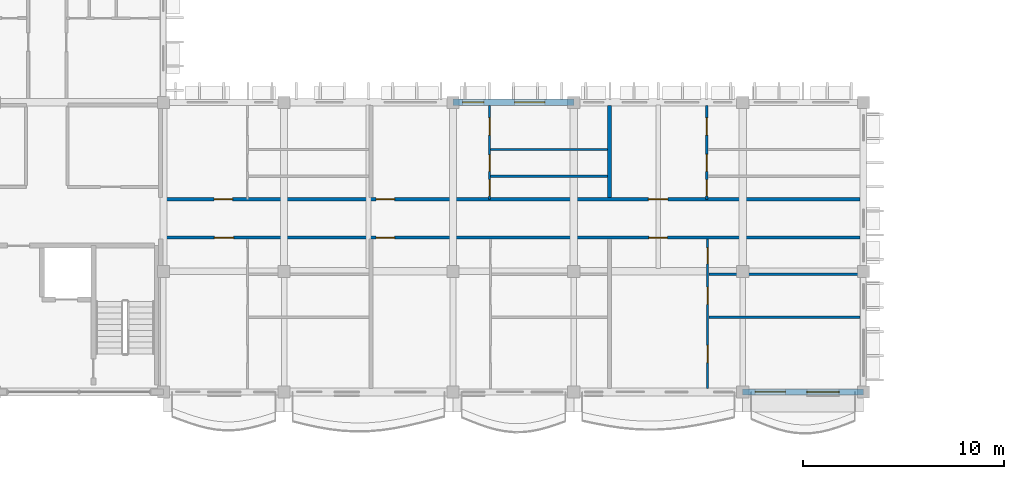
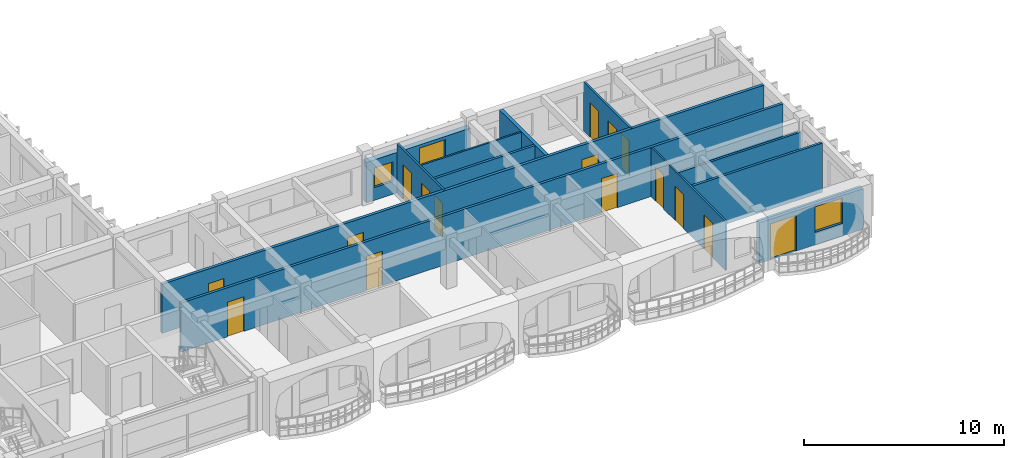
# One storey, part 17 of 70: 16 doors, 12 walls, 3 windows, 19 openings.
"""IFC4 building model written with IfcOpenShell, lengths in metres."""

from ifc_helpers import new_model, si_unit, direction, frame, frame_2d, origin, place, context, subcontext, project, spatial, rectangle, extrude, material, layer, layer_set, type_object, element, fill, save


model = new_model("IFC4")

# Units and contexts
model_context = context("Model", 3, precision=1e-05, world=origin(), true_north=direction((0.0, 1.0)))
body_context = subcontext(model_context, "Body", "Model", "MODEL_VIEW")
ifc_project = project(units=[si_unit("LENGTHUNIT", "METRE"), si_unit("AREAUNIT", "SQUARE_METRE"), si_unit("VOLUMEUNIT", "CUBIC_METRE"), si_unit("PLANEANGLEUNIT", "RADIAN"), si_unit("MASSUNIT", "GRAM", prefix="KILO"), si_unit("THERMODYNAMICTEMPERATUREUNIT", "KELVIN")], contexts=[model_context])

# Site, building, storey
site_placement = place(None, origin())
site = spatial("IfcSite", under=ifc_project, at=site_placement, CompositionType="ELEMENT")
building_placement = place(site_placement, origin())
building = spatial("IfcBuilding", under=site, at=building_placement, Name="Thalorik Housing Commons", CompositionType="ELEMENT")
storey_placement = place(building_placement, frame((0.0, 0.0, 14.699951171875)))
storey = spatial("IfcBuildingStorey", under=building, at=storey_placement, Name="L04", CompositionType="ELEMENT", Elevation=14.699951171875)

# Wall, openings, doors
ifc_material_1 = material(Name="Masonry fire-rated corridor wall", Category="masonry")
ifc_layer_1 = layer(ifc_material_1, 0.14990234375, Name="Masonry fire-rated corridor wall", Category="masonry")
ifc_layer_set_1 = layer_set([ifc_layer_1], Name="Masonry fire-rated corridor wall")
wall_type_1 = type_object("IfcWallType", Name="ARC-WAL-CORR-150", PredefinedType="PARTITIONING", material=ifc_layer_set_1)
wall_1_placement = place(storey_placement, frame((22.659912109375, 16.080078125, 0.0), z_axis=(0.0, 0.0, 1.0), x_axis=(1.0, 0.0, 0.0)))
wall_1 = element("IfcWall", 1, at=wall_1_placement, inside=storey, type_object=wall_type_1, Name="L04 Block C S Corridor Wall 1", PredefinedType="PARTITIONING", context=body_context, shape_type="SweptSolid", body=[
    extrude(rectangle(XDim=34.778076171875, YDim=0.14990234375, at=frame_2d((17.38916015625, 0.0))), origin(), (0.0, 0.0, 1.0), 3.0),
])
opening_1_placement = place(wall_1_placement, frame((2.671630859375, 0.0, 0.0)))
opening_1 = element("IfcOpeningElement", 2, at=opening_1_placement, cuts=wall_1, Name="Opening ID-1740", PredefinedType="OPENING", context=body_context, shape_type="SweptSolid", body=[
    extrude(rectangle(XDim=0.9599609375, YDim=2.1201171875, at=frame_2d((0.47998046875, 1.06005859375))), frame((0.0, 0.0849609375, 0.0), z_axis=(0.0, -1.0, 0.0), x_axis=(1.0, 0.0, 0.0)), (0.0, 0.0, 1.0), 0.169921875),
])
opening_2_placement = place(wall_1_placement, frame((10.7099609375, 0.0, 0.0)))
opening_2 = element("IfcOpeningElement", 3, at=opening_2_placement, cuts=wall_1, Name="Opening ID-1741", PredefinedType="OPENING", context=body_context, shape_type="SweptSolid", body=[
    extrude(rectangle(XDim=0.919921875, YDim=2.10009765625, at=frame_2d((0.4599609375, 1.050048828125))), frame((0.0, 0.0849609375, 0.0), z_axis=(0.0, -1.0, 0.0), x_axis=(1.0, 0.0, 0.0)), (0.0, 0.0, 1.0), 0.169921875),
])
opening_3_placement = place(wall_1_placement, frame((24.280029296875, 0.0, 0.0)))
opening_3 = element("IfcOpeningElement", 4, at=opening_3_placement, cuts=wall_1, Name="Opening ID-1742", PredefinedType="OPENING", context=body_context, shape_type="SweptSolid", body=[
    extrude(rectangle(XDim=0.919921875, YDim=2.10009765625, at=frame_2d((0.4599609375, 1.050048828125))), frame((0.0, 0.0849609375, 0.0), z_axis=(0.0, -1.0, 0.0), x_axis=(1.0, 0.0, 0.0)), (0.0, 0.0, 1.0), 0.169921875),
])
ifc_material_2 = material(Name="Solid core hardwood timber", Category="wood")
door_type_1 = type_object("IfcDoorType", Name="ARC-DR-FD30-920", OperationType="NOTDEFINED", PredefinedType="DOOR", material=ifc_material_2)
door_1_placement = place(opening_2_placement, origin())
door_1 = element("IfcDoor", 5, at=door_1_placement, inside=storey, type_object=door_type_1, Name="L04 Flat CS-2A Entrance Door", OperationType="SINGLE_SWING_RIGHT", OverallHeight=2.10009765625, OverallWidth=0.919921875, PredefinedType="DOOR", context=body_context, shape_type="SweptSolid", body=[
    extrude(rectangle(XDim=0.919921875, YDim=2.10009765625, at=frame_2d((0.4599609375, 1.050048828125))), frame((0.0, 0.02490234375, 0.0), z_axis=(0.0, -1.0, 0.0), x_axis=(1.0, 0.0, 0.0)), (0.0, 0.0, 1.0), 0.050048828125),
])
fill(opening_2, door_1)
door_2_placement = place(opening_3_placement, origin())
door_2 = element("IfcDoor", 6, at=door_2_placement, inside=storey, type_object=door_type_1, Name="L04 Flat CS-3A Entrance Door", OperationType="SINGLE_SWING_LEFT", OverallHeight=2.10009765625, OverallWidth=0.919921875, PredefinedType="DOOR", context=body_context, shape_type="SweptSolid", body=[
    extrude(rectangle(XDim=0.919921875, YDim=2.10009765625, at=frame_2d((0.4599609375, 1.050048828125))), frame((0.0, 0.02490234375, 0.0), z_axis=(0.0, -1.0, 0.0), x_axis=(1.0, 0.0, 0.0)), (0.0, 0.0, 1.0), 0.050048828125),
])
fill(opening_3, door_2)
door_type_2 = type_object("IfcDoorType", Name="ARC-DR-FD30-960", OperationType="NOTDEFINED", PredefinedType="DOOR", material=ifc_material_2)
door_3_placement = place(opening_1_placement, origin())
door_3 = element("IfcDoor", 7, at=door_3_placement, inside=storey, type_object=door_type_2, Name="L04 Flat CS-1A Entrance Door", OperationType="SINGLE_SWING_LEFT", OverallHeight=2.1201171875, OverallWidth=0.9599609375, PredefinedType="DOOR", context=body_context, shape_type="SweptSolid", body=[
    extrude(rectangle(XDim=0.9599609375, YDim=2.1201171875, at=frame_2d((0.47998046875, 1.06005859375))), frame((0.0, 0.02490234375, 0.0), z_axis=(0.0, -1.0, 0.0), x_axis=(1.0, 0.0, 0.0)), (0.0, 0.0, 1.0), 0.050048828125),
])
fill(opening_1, door_3)

ifc_layer_2 = layer(ifc_material_1, 0.1650390625, Name="Masonry fire-rated corridor wall", Category="masonry")
ifc_layer_set_2 = layer_set([ifc_layer_2], Name="Masonry fire-rated corridor wall")
wall_type_2 = type_object("IfcWallType", Name="ARC-WAL-CORR-165", PredefinedType="PARTITIONING", material=ifc_layer_set_2)
wall_2_placement = place(storey_placement, frame((22.659912109375, 17.97998046875, 0.0), z_axis=(0.0, 0.0, 1.0), x_axis=(1.0, 0.0, 0.0)))
wall_2 = element("IfcWall", 8, at=wall_2_placement, inside=storey, type_object=wall_type_2, Name="L04 Block C S Corridor Wall 2", PredefinedType="PARTITIONING", context=body_context, shape_type="SweptSolid", body=[
    extrude(rectangle(XDim=34.778076171875, YDim=0.1650390625, at=frame_2d((17.38916015625, 0.0))), origin(), (0.0, 0.0, 1.0), 3.0),
])
opening_4_placement = place(wall_2_placement, frame((2.663818359375, 0.0, 0.0)))
opening_4 = element("IfcOpeningElement", 9, at=opening_4_placement, cuts=wall_2, Name="Opening ID-1743", PredefinedType="OPENING", context=body_context, shape_type="SweptSolid", body=[
    extrude(rectangle(XDim=0.919921875, YDim=2.10009765625, at=frame_2d((0.4599609375, 1.050048828125))), frame((0.0, 0.092529296875, 0.0), z_axis=(0.0, -1.0, 0.0), x_axis=(1.0, 0.0, 0.0)), (0.0, 0.0, 1.0), 0.18505859375),
])
opening_5_placement = place(wall_2_placement, frame((10.7099609375, 0.0, 0.0)))
opening_5 = element("IfcOpeningElement", 10, at=opening_5_placement, cuts=wall_2, Name="Opening ID-1744", PredefinedType="OPENING", context=body_context, shape_type="SweptSolid", body=[
    extrude(rectangle(XDim=0.919921875, YDim=2.10009765625, at=frame_2d((0.4599609375, 1.050048828125))), frame((0.0, 0.092529296875, 0.0), z_axis=(0.0, -1.0, 0.0), x_axis=(1.0, 0.0, 0.0)), (0.0, 0.0, 1.0), 0.18505859375),
])
opening_6_placement = place(wall_2_placement, frame((24.25439453125, 0.0, 0.0)))
opening_6 = element("IfcOpeningElement", 11, at=opening_6_placement, cuts=wall_2, Name="Opening ID-1745", PredefinedType="OPENING", context=body_context, shape_type="SweptSolid", body=[
    extrude(rectangle(XDim=0.9599609375, YDim=2.1201171875, at=frame_2d((0.47998046875, 1.06005859375))), frame((0.0, 0.092529296875, 0.0), z_axis=(0.0, -1.0, 0.0), x_axis=(1.0, 0.0, 0.0)), (0.0, 0.0, 1.0), 0.18505859375),
])
door_4_placement = place(opening_4_placement, origin())
door_4 = element("IfcDoor", 12, at=door_4_placement, inside=storey, type_object=door_type_1, Name="L04 Flat CS-1B Entrance Door", OperationType="SINGLE_SWING_RIGHT", OverallHeight=2.10009765625, OverallWidth=0.919921875, PredefinedType="DOOR", context=body_context, shape_type="SweptSolid", body=[
    extrude(rectangle(XDim=0.919921875, YDim=2.10009765625, at=frame_2d((0.4599609375, 1.050048828125))), frame((0.0, 0.02490234375, 0.0), z_axis=(0.0, -1.0, 0.0), x_axis=(1.0, 0.0, 0.0)), (0.0, 0.0, 1.0), 0.050048828125),
])
fill(opening_4, door_4)
door_5_placement = place(opening_5_placement, origin())
door_5 = element("IfcDoor", 13, at=door_5_placement, inside=storey, type_object=door_type_1, Name="L04 Flat CS-2B Entrance Door", OperationType="SINGLE_SWING_LEFT", OverallHeight=2.10009765625, OverallWidth=0.919921875, PredefinedType="DOOR", context=body_context, shape_type="SweptSolid", body=[
    extrude(rectangle(XDim=0.919921875, YDim=2.10009765625, at=frame_2d((0.4599609375, 1.050048828125))), frame((0.0, 0.02490234375, 0.0), z_axis=(0.0, -1.0, 0.0), x_axis=(1.0, 0.0, 0.0)), (0.0, 0.0, 1.0), 0.050048828125),
])
fill(opening_5, door_5)
door_6_placement = place(opening_6_placement, origin())
door_6 = element("IfcDoor", 14, at=door_6_placement, inside=storey, type_object=door_type_2, Name="L04 Flat CS-3B Entrance Door", OperationType="SINGLE_SWING_RIGHT", OverallHeight=2.1201171875, OverallWidth=0.9599609375, PredefinedType="DOOR", context=body_context, shape_type="SweptSolid", body=[
    extrude(rectangle(XDim=0.9599609375, YDim=2.1201171875, at=frame_2d((0.47998046875, 1.06005859375))), frame((0.0, 0.02490234375, 0.0), z_axis=(0.0, -1.0, 0.0), x_axis=(1.0, 0.0, 0.0)), (0.0, 0.0, 1.0), 0.050048828125),
])
fill(opening_6, door_6)

# Wall, openings, door, window
ifc_material_3 = material(Name="White precast concrete C40/50", Category="concrete")
ifc_layer_3 = layer(ifc_material_3, 0.320068359375, Name="White precast concrete C40/50", Category="concrete")
ifc_layer_set_3 = layer_set([ifc_layer_3], Name="White precast concrete C40/50")
wall_type_3 = type_object("IfcWallType", Name="ARC-WAL-EXT-320", PredefinedType="STANDARD", material=ifc_layer_set_3)
wall_3_placement = place(storey_placement, frame((51.60009765625, 8.39990234375, 0.0), z_axis=(0.0, 0.0, 1.0), x_axis=(1.0, 0.0, 0.0)))
wall_3 = element("IfcWall", 15, at=wall_3_placement, inside=storey, type_object=wall_type_3, Name="L04 Exterior Wall WAL-EXT-L04-C-0953", PredefinedType="STANDARD", context=body_context, shape_type="SweptSolid", body=[
    extrude(rectangle(XDim=6.0, YDim=0.320068359375, at=frame_2d((3.0, 0.0))), origin(), (0.0, 0.0, 1.0), 2.47509765625),
])
opening_7_placement = place(wall_3_placement, frame((0.6201171875, 0.0, 0.0)))
opening_7 = element("IfcOpeningElement", 16, at=opening_7_placement, cuts=wall_3, Name="Opening ED-0317", PredefinedType="OPENING", context=body_context, shape_type="SweptSolid", body=[
    extrude(rectangle(XDim=1.5, YDim=2.199951171875, at=frame_2d((0.75, 1.10009765625))), frame((0.0, 0.169921875, 0.0), z_axis=(0.0, -1.0, 0.0), x_axis=(1.0, 0.0, 0.0)), (0.0, 0.0, 1.0), 0.340087890625),
])
opening_8_placement = place(wall_3_placement, frame((3.18994140625, 0.0, 0.780029296875)))
opening_8 = element("IfcOpeningElement", 17, at=opening_8_placement, cuts=wall_3, Name="Opening W-13", PredefinedType="OPENING", context=body_context, shape_type="SweptSolid", body=[
    extrude(rectangle(XDim=1.60009765625, YDim=1.550048828125, at=frame_2d((0.800048828125, 0.77490234375))), frame((0.0, 0.169921875, 0.0), z_axis=(0.0, -1.0, 0.0), x_axis=(1.0, 0.0, 0.0)), (0.0, 0.0, 1.0), 0.340087890625),
])
ifc_material_4 = material(Name="Anodised aluminium and laminated safety glass", Category="aluminium")
door_type_3 = type_object("IfcDoorType", Name="ARC-DR-BAL-1500", OperationType="NOTDEFINED", PredefinedType="DOOR", material=ifc_material_4)
door_7_placement = place(opening_7_placement, frame((1.5, 0.0, 0.0), z_axis=(0.0, 0.0, 1.0), x_axis=(-1.0, 0.0, 0.0)))
door_7 = element("IfcDoor", 18, at=door_7_placement, inside=storey, type_object=door_type_3, Name="L04 Block C Balcony Glazed Door", OperationType="SLIDING_TO_RIGHT", OverallHeight=2.199951171875, OverallWidth=1.5, PredefinedType="DOOR", context=body_context, shape_type="SweptSolid", body=[
    extrude(rectangle(XDim=1.5, YDim=2.199951171875, at=frame_2d((0.75, 1.10009765625))), frame((0.0, 0.02490234375, 0.0), z_axis=(0.0, -1.0, 0.0), x_axis=(1.0, 0.0, 0.0)), (0.0, 0.0, 1.0), 0.050048828125),
])
fill(opening_7, door_7)
ifc_material_5 = material(Name="Anodised aluminium and solar-control low-E glass", Category="aluminium")
window_type_1 = type_object("IfcWindowType", Name="ARC-WIN-13", PartitioningType="DOUBLE_PANEL_VERTICAL", PredefinedType="WINDOW", material=ifc_material_5)
window_1_placement = place(opening_8_placement, origin())
window_1 = element("IfcWindow", 19, at=window_1_placement, inside=storey, type_object=window_type_1, Name="L04 Facade Window 1760", OverallHeight=1.550048828125, OverallWidth=1.60009765625, PartitioningType="DOUBLE_PANEL_VERTICAL", PredefinedType="WINDOW", context=body_context, shape_type="SweptSolid", body=[
    extrude(rectangle(XDim=1.60009765625, YDim=1.550048828125, at=frame_2d((0.800048828125, 0.77490234375))), frame((0.0, 0.030029296875, 0.0), z_axis=(0.0, -1.0, 0.0), x_axis=(1.0, 0.0, 0.0)), (0.0, 0.0, 1.0), 0.06005859375),
])
fill(opening_8, window_1)

# Wall, openings, windows
wall_4_placement = place(storey_placement, frame((43.199951171875, 22.800048828125, 0.0), z_axis=(0.0, 0.0, 1.0), x_axis=(-1.0, 0.0, 0.0)))
wall_4 = element("IfcWall", 20, at=wall_4_placement, inside=storey, type_object=wall_type_3, Name="L04 Exterior Wall WAL-EXT-L04-C-0958", PredefinedType="STANDARD", context=body_context, shape_type="SweptSolid", body=[
    extrude(rectangle(XDim=6.0, YDim=0.320068359375, at=frame_2d((3.0, 0.0))), origin(), (0.0, 0.0, 1.0), 2.47509765625),
])
opening_9_placement = place(wall_4_placement, frame((1.438720703125, 0.0, 0.780029296875)))
opening_9 = element("IfcOpeningElement", 21, at=opening_9_placement, cuts=wall_4, Name="Opening W-10", PredefinedType="OPENING", context=body_context, shape_type="SweptSolid", body=[
    extrude(rectangle(XDim=1.5, YDim=1.5, at=frame_2d((0.75, 0.75))), frame((0.0, 0.169921875, 0.0), z_axis=(0.0, -1.0, 0.0), x_axis=(1.0, 0.0, 0.0)), (0.0, 0.0, 1.0), 0.340087890625),
])
opening_10_placement = place(wall_4_placement, frame((4.4736328125, 0.0, 0.780029296875)))
opening_10 = element("IfcOpeningElement", 22, at=opening_10_placement, cuts=wall_4, Name="Opening W-44", PredefinedType="OPENING", context=body_context, shape_type="SweptSolid", body=[
    extrude(rectangle(XDim=1.050048828125, YDim=1.199951171875, at=frame_2d((0.52490234375, 0.60009765625))), frame((0.0, 0.169921875, 0.0), z_axis=(0.0, -1.0, 0.0), x_axis=(1.0, 0.0, 0.0)), (0.0, 0.0, 1.0), 0.340087890625),
])
window_type_2 = type_object("IfcWindowType", Name="ARC-WIN-10", PartitioningType="SINGLE_PANEL", PredefinedType="WINDOW", material=ifc_material_5)
window_2_placement = place(opening_9_placement, origin())
window_2 = element("IfcWindow", 23, at=window_2_placement, inside=storey, type_object=window_type_2, Name="L04 Facade Window 1772", OverallHeight=1.5, OverallWidth=1.5, PartitioningType="SINGLE_PANEL", PredefinedType="WINDOW", context=body_context, shape_type="SweptSolid", body=[
    extrude(rectangle(XDim=1.5, YDim=1.5, at=frame_2d((0.75, 0.75))), frame((0.0, 0.030029296875, 0.0), z_axis=(0.0, -1.0, 0.0), x_axis=(1.0, 0.0, 0.0)), (0.0, 0.0, 1.0), 0.06005859375),
])
fill(opening_9, window_2)
window_type_3 = type_object("IfcWindowType", Name="ARC-WIN-44", PartitioningType="SINGLE_PANEL", PredefinedType="WINDOW", material=ifc_material_5)
window_3_placement = place(opening_10_placement, origin())
window_3 = element("IfcWindow", 24, at=window_3_placement, inside=storey, type_object=window_type_3, Name="L04 Facade Window 1773", OverallHeight=1.199951171875, OverallWidth=1.050048828125, PartitioningType="SINGLE_PANEL", PredefinedType="WINDOW", context=body_context, shape_type="SweptSolid", body=[
    extrude(rectangle(XDim=1.050048828125, YDim=1.199951171875, at=frame_2d((0.52490234375, 0.60009765625))), frame((0.0, 0.030029296875, 0.0), z_axis=(0.0, -1.0, 0.0), x_axis=(1.0, 0.0, 0.0)), (0.0, 0.0, 1.0), 0.06005859375),
])
fill(opening_10, window_3)

# Wall
ifc_material_6 = material(Name="Gypsum light stud partition", Category="masonry")
ifc_layer_4 = layer(ifc_material_6, 0.10009765625, Name="Gypsum light stud partition", Category="masonry")
ifc_layer_set_4 = layer_set([ifc_layer_4], Name="Gypsum light stud partition")
wall_type_4 = type_object("IfcWallType", Name="ARC-WAL-PART-100", PredefinedType="PARTITIONING", material=ifc_layer_set_4)
wall_5_placement = place(storey_placement, frame((39.072265625, 20.455078125, 0.0), z_axis=(0.0, 0.0, 1.0), x_axis=(1.0, 0.0, 0.0)))
element("IfcWall", 25, at=wall_5_placement, inside=storey, type_object=wall_type_4, Name="L04 Unit 2B Bedroom Partition", PredefinedType="PARTITIONING", context=body_context, shape_type="SweptSolid", body=[
    extrude(rectangle(XDim=5.8056640625, YDim=0.10009765625, at=frame_2d((2.90283203125, 0.0))), origin(), (0.0, 0.0, 1.0), 3.0),
])

# Wall, openings, doors
wall_6_placement = place(storey_placement, frame((49.860107421875, 8.56201171875, 0.0), z_axis=(0.0, 0.0, 1.0), x_axis=(0.0, 1.0, 0.0)))
wall_6 = element("IfcWall", 26, at=wall_6_placement, inside=storey, type_object=wall_type_4, Name="L04 Unit 3 Spine Partition", PredefinedType="PARTITIONING", context=body_context, shape_type="SweptSolid", body=[
    extrude(rectangle(XDim=7.44091796875, YDim=0.10009765625, at=frame_2d((3.720458984375, 0.0))), origin(), (0.0, 0.0, 1.0), 3.0),
])
opening_11_placement = place(wall_6_placement, frame((1.3017578125, 0.0, 0.0)))
opening_11 = element("IfcOpeningElement", 27, at=opening_11_placement, cuts=wall_6, Name="Opening ID-1734", PredefinedType="OPENING", context=body_context, shape_type="SweptSolid", body=[
    extrude(rectangle(XDim=0.85009765625, YDim=2.10009765625, at=frame_2d((0.425048828125, 1.050048828125))), frame((0.0, 0.06005859375, 0.0), z_axis=(0.0, -1.0, 0.0), x_axis=(1.0, 0.0, 0.0)), (0.0, 0.0, 1.0), 0.1201171875),
])
opening_12_placement = place(wall_6_placement, frame((4.197509765625, 0.0, 0.0)))
opening_12 = element("IfcOpeningElement", 28, at=opening_12_placement, cuts=wall_6, Name="Opening ID-1735", PredefinedType="OPENING", context=body_context, shape_type="SweptSolid", body=[
    extrude(rectangle(XDim=0.85009765625, YDim=2.10009765625, at=frame_2d((0.425048828125, 1.050048828125))), frame((0.0, 0.06005859375, 0.0), z_axis=(0.0, -1.0, 0.0), x_axis=(1.0, 0.0, 0.0)), (0.0, 0.0, 1.0), 0.1201171875),
])
opening_13_placement = place(wall_6_placement, frame((6.20361328125, 0.0, 0.0)))
opening_13 = element("IfcOpeningElement", 29, at=opening_13_placement, cuts=wall_6, Name="Opening ID-1736", PredefinedType="OPENING", context=body_context, shape_type="SweptSolid", body=[
    extrude(rectangle(XDim=0.800048828125, YDim=2.10009765625, at=frame_2d((0.39990234375, 1.050048828125))), frame((0.0, 0.06005859375, 0.0), z_axis=(0.0, -1.0, 0.0), x_axis=(1.0, 0.0, 0.0)), (0.0, 0.0, 1.0), 0.1201171875),
])
ifc_material_7 = material(Name="Moisture-resistant timber", Category="wood")
door_type_4 = type_object("IfcDoorType", Name="ARC-DR-INT-800", OperationType="NOTDEFINED", PredefinedType="DOOR", material=ifc_material_7)
door_8_placement = place(opening_13_placement, origin())
door_8 = element("IfcDoor", 30, at=door_8_placement, inside=storey, type_object=door_type_4, Name="L04 Flat Bathroom Door", OperationType="SINGLE_SWING_LEFT", OverallHeight=2.10009765625, OverallWidth=0.800048828125, PredefinedType="DOOR", context=body_context, shape_type="SweptSolid", body=[
    extrude(rectangle(XDim=0.800048828125, YDim=2.10009765625, at=frame_2d((0.39990234375, 1.050048828125))), frame((0.0, 0.02490234375, 0.0), z_axis=(0.0, -1.0, 0.0), x_axis=(1.0, 0.0, 0.0)), (0.0, 0.0, 1.0), 0.050048828125),
])
fill(opening_13, door_8)
ifc_material_8 = material(Name="Engineered oak timber", Category="wood")
door_type_5 = type_object("IfcDoorType", Name="ARC-DR-INT-850", OperationType="NOTDEFINED", PredefinedType="DOOR", material=ifc_material_8)
door_9_placement = place(opening_11_placement, origin())
door_9 = element("IfcDoor", 31, at=door_9_placement, inside=storey, type_object=door_type_5, Name="L04 Master Bedroom Door", OperationType="SINGLE_SWING_LEFT", OverallHeight=2.10009765625, OverallWidth=0.85009765625, PredefinedType="DOOR", context=body_context, shape_type="SweptSolid", body=[
    extrude(rectangle(XDim=0.85009765625, YDim=2.10009765625, at=frame_2d((0.425048828125, 1.050048828125))), frame((0.0, 0.02490234375, 0.0), z_axis=(0.0, -1.0, 0.0), x_axis=(1.0, 0.0, 0.0)), (0.0, 0.0, 1.0), 0.050048828125),
])
fill(opening_11, door_9)
door_10_placement = place(opening_12_placement, origin())
door_10 = element("IfcDoor", 32, at=door_10_placement, inside=storey, type_object=door_type_5, Name="L04 Eat-In Kitchen Door", OperationType="SINGLE_SWING_RIGHT", OverallHeight=2.10009765625, OverallWidth=0.85009765625, PredefinedType="DOOR", context=body_context, shape_type="SweptSolid", body=[
    extrude(rectangle(XDim=0.85009765625, YDim=2.10009765625, at=frame_2d((0.425048828125, 1.050048828125))), frame((0.0, 0.02490234375, 0.0), z_axis=(0.0, -1.0, 0.0), x_axis=(1.0, 0.0, 0.0)), (0.0, 0.0, 1.0), 0.050048828125),
])
fill(opening_12, door_10)

ifc_material_9 = material(Name="Gypsum moisture-resistant partition", Category="masonry")
ifc_layer_5 = layer(ifc_material_9, 0.114990234375, Name="Gypsum moisture-resistant partition", Category="masonry")
ifc_layer_set_5 = layer_set([ifc_layer_5], Name="Gypsum moisture-resistant partition")
wall_type_5 = type_object("IfcWallType", Name="ARC-WAL-PART-115", PredefinedType="PARTITIONING", material=ifc_layer_set_5)
wall_7_placement = place(storey_placement, frame((39.0126953125, 17.97998046875, 0.0), z_axis=(0.0, 0.0, 1.0), x_axis=(0.0, 1.0, 0.0)))
wall_7 = element("IfcWall", 33, at=wall_7_placement, inside=storey, type_object=wall_type_5, Name="L04 Unit 2B Spine Partition", PredefinedType="PARTITIONING", context=body_context, shape_type="SweptSolid", body=[
    extrude(rectangle(XDim=4.657958984375, YDim=0.114990234375, at=frame_2d((2.3291015625, 0.0))), origin(), (0.0, 0.0, 1.0), 3.0),
])
opening_14_placement = place(wall_7_placement, frame((0.171142578125, 0.0, 0.0)))
opening_14 = element("IfcOpeningElement", 34, at=opening_14_placement, cuts=wall_7, Name="Opening ID-1731", PredefinedType="OPENING", context=body_context, shape_type="SweptSolid", body=[
    extrude(rectangle(XDim=0.800048828125, YDim=2.10009765625, at=frame_2d((0.39990234375, 1.050048828125))), frame((0.0, 0.0673828125, 0.0), z_axis=(0.0, -1.0, 0.0), x_axis=(1.0, 0.0, 0.0)), (0.0, 0.0, 1.0), 0.135009765625),
])
opening_15_placement = place(wall_7_placement, frame((1.3837890625, 0.0, 0.0)))
opening_15 = element("IfcOpeningElement", 35, at=opening_15_placement, cuts=wall_7, Name="Opening ID-1732", PredefinedType="OPENING", context=body_context, shape_type="SweptSolid", body=[
    extrude(rectangle(XDim=0.820068359375, YDim=2.080078125, at=frame_2d((0.41015625, 1.0400390625))), frame((0.0, 0.0673828125, 0.0), z_axis=(0.0, -1.0, 0.0), x_axis=(1.0, 0.0, 0.0)), (0.0, 0.0, 1.0), 0.135009765625),
])
opening_16_placement = place(wall_7_placement, frame((3.192626953125, 0.0, 0.0)))
opening_16 = element("IfcOpeningElement", 36, at=opening_16_placement, cuts=wall_7, Name="Opening ID-1733", PredefinedType="OPENING", context=body_context, shape_type="SweptSolid", body=[
    extrude(rectangle(XDim=0.85009765625, YDim=2.10009765625, at=frame_2d((0.425048828125, 1.050048828125))), frame((0.0, 0.0673828125, 0.0), z_axis=(0.0, -1.0, 0.0), x_axis=(1.0, 0.0, 0.0)), (0.0, 0.0, 1.0), 0.135009765625),
])
door_11_placement = place(opening_14_placement, origin())
door_11 = element("IfcDoor", 37, at=door_11_placement, inside=storey, type_object=door_type_4, Name="L04 Accessible Bathroom Door", OperationType="SINGLE_SWING_RIGHT", OverallHeight=2.10009765625, OverallWidth=0.800048828125, PredefinedType="DOOR", context=body_context, shape_type="SweptSolid", body=[
    extrude(rectangle(XDim=0.800048828125, YDim=2.10009765625, at=frame_2d((0.39990234375, 1.050048828125))), frame((0.0, 0.02490234375, 0.0), z_axis=(0.0, -1.0, 0.0), x_axis=(1.0, 0.0, 0.0)), (0.0, 0.0, 1.0), 0.050048828125),
])
fill(opening_14, door_11)
door_type_6 = type_object("IfcDoorType", Name="ARC-DR-INT-820", OperationType="NOTDEFINED", PredefinedType="DOOR", material=ifc_material_8)
door_12_placement = place(opening_15_placement, origin())
door_12 = element("IfcDoor", 38, at=door_12_placement, inside=storey, type_object=door_type_6, Name="L04 Eat-In Kitchen Door", OperationType="SINGLE_SWING_LEFT", OverallHeight=2.080078125, OverallWidth=0.820068359375, PredefinedType="DOOR", context=body_context, shape_type="SweptSolid", body=[
    extrude(rectangle(XDim=0.820068359375, YDim=2.080078125, at=frame_2d((0.41015625, 1.0400390625))), frame((0.0, 0.02490234375, 0.0), z_axis=(0.0, -1.0, 0.0), x_axis=(1.0, 0.0, 0.0)), (0.0, 0.0, 1.0), 0.050048828125),
])
fill(opening_15, door_12)
door_13_placement = place(opening_16_placement, origin())
door_13 = element("IfcDoor", 39, at=door_13_placement, inside=storey, type_object=door_type_5, Name="L04 Double Bedroom Door", OperationType="SINGLE_SWING_RIGHT", OverallHeight=2.10009765625, OverallWidth=0.85009765625, PredefinedType="DOOR", context=body_context, shape_type="SweptSolid", body=[
    extrude(rectangle(XDim=0.85009765625, YDim=2.10009765625, at=frame_2d((0.425048828125, 1.050048828125))), frame((0.0, 0.02490234375, 0.0), z_axis=(0.0, -1.0, 0.0), x_axis=(1.0, 0.0, 0.0)), (0.0, 0.0, 1.0), 0.050048828125),
])
fill(opening_16, door_13)

wall_8_placement = place(storey_placement, frame((49.808837890625, 17.97998046875, 0.0), z_axis=(0.0, 0.0, 1.0), x_axis=(0.0, 1.0, 0.0)))
wall_8 = element("IfcWall", 40, at=wall_8_placement, inside=storey, type_object=wall_type_5, Name="L04 Unit 3B Spine Partition", PredefinedType="PARTITIONING", context=body_context, shape_type="SweptSolid", body=[
    extrude(rectangle(XDim=4.657958984375, YDim=0.114990234375, at=frame_2d((2.3291015625, 0.0))), origin(), (0.0, 0.0, 1.0), 3.0),
])
opening_17_placement = place(wall_8_placement, frame((0.171142578125, 0.0, 0.0)))
opening_17 = element("IfcOpeningElement", 41, at=opening_17_placement, cuts=wall_8, Name="Opening ID-1737", PredefinedType="OPENING", context=body_context, shape_type="SweptSolid", body=[
    extrude(rectangle(XDim=0.800048828125, YDim=2.10009765625, at=frame_2d((0.39990234375, 1.050048828125))), frame((0.0, 0.0673828125, 0.0), z_axis=(0.0, -1.0, 0.0), x_axis=(1.0, 0.0, 0.0)), (0.0, 0.0, 1.0), 0.135009765625),
])
opening_18_placement = place(wall_8_placement, frame((1.3837890625, 0.0, 0.0)))
opening_18 = element("IfcOpeningElement", 42, at=opening_18_placement, cuts=wall_8, Name="Opening ID-1738", PredefinedType="OPENING", context=body_context, shape_type="SweptSolid", body=[
    extrude(rectangle(XDim=0.85009765625, YDim=2.10009765625, at=frame_2d((0.425048828125, 1.050048828125))), frame((0.0, 0.0673828125, 0.0), z_axis=(0.0, -1.0, 0.0), x_axis=(1.0, 0.0, 0.0)), (0.0, 0.0, 1.0), 0.135009765625),
])
opening_19_placement = place(wall_8_placement, frame((3.192626953125, 0.0, 0.0)))
opening_19 = element("IfcOpeningElement", 43, at=opening_19_placement, cuts=wall_8, Name="Opening ID-1739", PredefinedType="OPENING", context=body_context, shape_type="SweptSolid", body=[
    extrude(rectangle(XDim=0.85009765625, YDim=2.10009765625, at=frame_2d((0.425048828125, 1.050048828125))), frame((0.0, 0.0673828125, 0.0), z_axis=(0.0, -1.0, 0.0), x_axis=(1.0, 0.0, 0.0)), (0.0, 0.0, 1.0), 0.135009765625),
])
door_14_placement = place(opening_17_placement, origin())
door_14 = element("IfcDoor", 44, at=door_14_placement, inside=storey, type_object=door_type_4, Name="L04 Flat Bathroom Door", OperationType="SINGLE_SWING_RIGHT", OverallHeight=2.10009765625, OverallWidth=0.800048828125, PredefinedType="DOOR", context=body_context, shape_type="SweptSolid", body=[
    extrude(rectangle(XDim=0.800048828125, YDim=2.10009765625, at=frame_2d((0.39990234375, 1.050048828125))), frame((0.0, 0.02490234375, 0.0), z_axis=(0.0, -1.0, 0.0), x_axis=(1.0, 0.0, 0.0)), (0.0, 0.0, 1.0), 0.050048828125),
])
fill(opening_17, door_14)
door_15_placement = place(opening_18_placement, origin())
door_15 = element("IfcDoor", 45, at=door_15_placement, inside=storey, type_object=door_type_5, Name="L04 Galley Kitchen Door", OperationType="SINGLE_SWING_LEFT", OverallHeight=2.10009765625, OverallWidth=0.85009765625, PredefinedType="DOOR", context=body_context, shape_type="SweptSolid", body=[
    extrude(rectangle(XDim=0.85009765625, YDim=2.10009765625, at=frame_2d((0.425048828125, 1.050048828125))), frame((0.0, 0.02490234375, 0.0), z_axis=(0.0, -1.0, 0.0), x_axis=(1.0, 0.0, 0.0)), (0.0, 0.0, 1.0), 0.050048828125),
])
fill(opening_18, door_15)
door_16_placement = place(opening_19_placement, origin())
door_16 = element("IfcDoor", 46, at=door_16_placement, inside=storey, type_object=door_type_5, Name="L04 Master Bedroom Door", OperationType="SINGLE_SWING_RIGHT", OverallHeight=2.10009765625, OverallWidth=0.85009765625, PredefinedType="DOOR", context=body_context, shape_type="SweptSolid", body=[
    extrude(rectangle(XDim=0.85009765625, YDim=2.10009765625, at=frame_2d((0.425048828125, 1.050048828125))), frame((0.0, 0.02490234375, 0.0), z_axis=(0.0, -1.0, 0.0), x_axis=(1.0, 0.0, 0.0)), (0.0, 0.0, 1.0), 0.050048828125),
])
fill(opening_19, door_16)

# Walls
ifc_material_10 = material(Name="Gypsum acoustic stud partition", Category="masonry")
ifc_layer_6 = layer(ifc_material_10, 0.125, Name="Gypsum acoustic stud partition", Category="masonry")
ifc_layer_set_6 = layer_set([ifc_layer_6], Name="Gypsum acoustic stud partition")
wall_type_6 = type_object("IfcWallType", Name="ARC-WAL-PART-125", PredefinedType="PARTITIONING", material=ifc_layer_set_6)
wall_9_placement = place(storey_placement, frame((49.912109375, 14.251220703125, 0.0), z_axis=(0.0, 0.0, 1.0), x_axis=(1.0, 0.0, 0.0)))
element("IfcWall", 47, at=wall_9_placement, inside=storey, type_object=wall_type_6, Name="L04 Unit 3 Wet Wall", PredefinedType="PARTITIONING", context=body_context, shape_type="SweptSolid", body=[
    extrude(rectangle(XDim=7.52587890625, YDim=0.125, at=frame_2d((3.762939453125, 0.0))), origin(), (0.0, 0.0, 1.0), 2.375),
])
ifc_material_11 = material(Name="Ceramic masonry partition wall", Category="masonry")
ifc_layer_7 = layer(ifc_material_11, 0.139892578125, Name="Ceramic masonry partition wall", Category="masonry")
ifc_layer_set_7 = layer_set([ifc_layer_7], Name="Ceramic masonry partition wall")
wall_type_7 = type_object("IfcWallType", Name="ARC-WAL-PART-140", PredefinedType="PARTITIONING", material=ifc_layer_set_7)
wall_10_placement = place(storey_placement, frame((39.072265625, 19.122314453125, 0.0), z_axis=(0.0, 0.0, 1.0), x_axis=(1.0, 0.0, 0.0)))
element("IfcWall", 48, at=wall_10_placement, inside=storey, type_object=wall_type_7, Name="L04 Unit 2B Wet Wall", PredefinedType="PARTITIONING", context=body_context, shape_type="SweptSolid", body=[
    extrude(rectangle(XDim=5.8056640625, YDim=0.139892578125, at=frame_2d((2.90283203125, 0.0))), origin(), (0.0, 0.0, 1.0), 3.0),
])
wall_11_placement = place(storey_placement, frame((49.912109375, 12.11767578125, 0.0), z_axis=(0.0, 0.0, 1.0), x_axis=(1.0, 0.0, 0.0)))
element("IfcWall", 49, at=wall_11_placement, inside=storey, type_object=wall_type_7, Name="L04 Unit 3 Bedroom Partition", PredefinedType="PARTITIONING", context=body_context, shape_type="SweptSolid", body=[
    extrude(rectangle(XDim=7.52587890625, YDim=0.139892578125, at=frame_2d((3.762939453125, 0.0))), origin(), (0.0, 0.0, 1.0), 3.0),
])
ifc_material_12 = material(Name="Precast concrete C40/50 acoustic wall", Category="concrete")
ifc_layer_8 = layer(ifc_material_12, 0.199951171875, Name="Precast concrete C40/50 acoustic wall", Category="concrete")
ifc_layer_set_8 = layer_set([ifc_layer_8], Name="Precast concrete C40/50 acoustic wall")
wall_type_8 = type_object("IfcWallType", Name="ARC-WAL-PARTY-200", PredefinedType="PARTITIONING", material=ifc_layer_set_8)
wall_12_placement = place(storey_placement, frame((44.97998046875, 18.064453125, 0.0), z_axis=(0.0, 0.0, 1.0), x_axis=(0.0, 1.0, 0.0)))
element("IfcWall", 50, at=wall_12_placement, inside=storey, type_object=wall_type_8, Name="L04 Inter-Tenancy Wall 2B", PredefinedType="PARTITIONING", context=body_context, shape_type="SweptSolid", body=[
    extrude(rectangle(XDim=4.573486328125, YDim=0.199951171875, at=frame_2d((2.28662109375, 0.0))), origin(), (0.0, 0.0, 1.0), 3.0),
])

save(model, "model.ifc")
